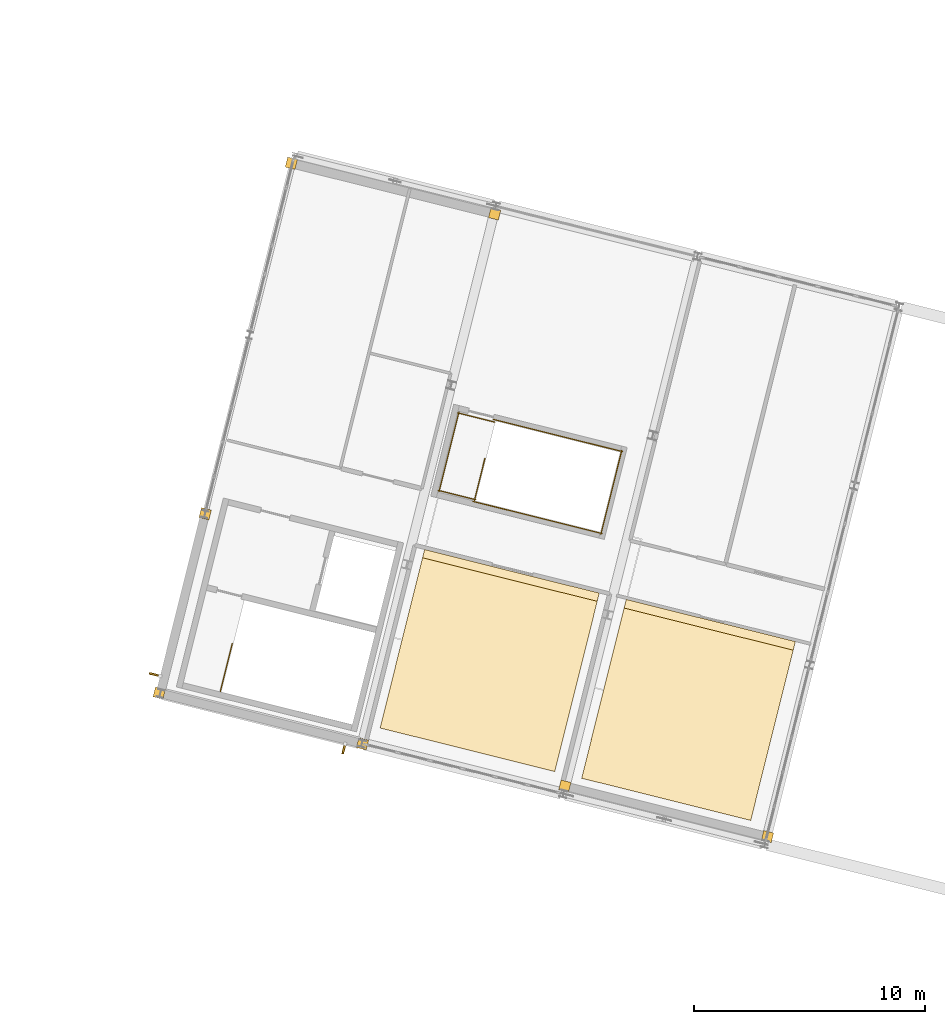
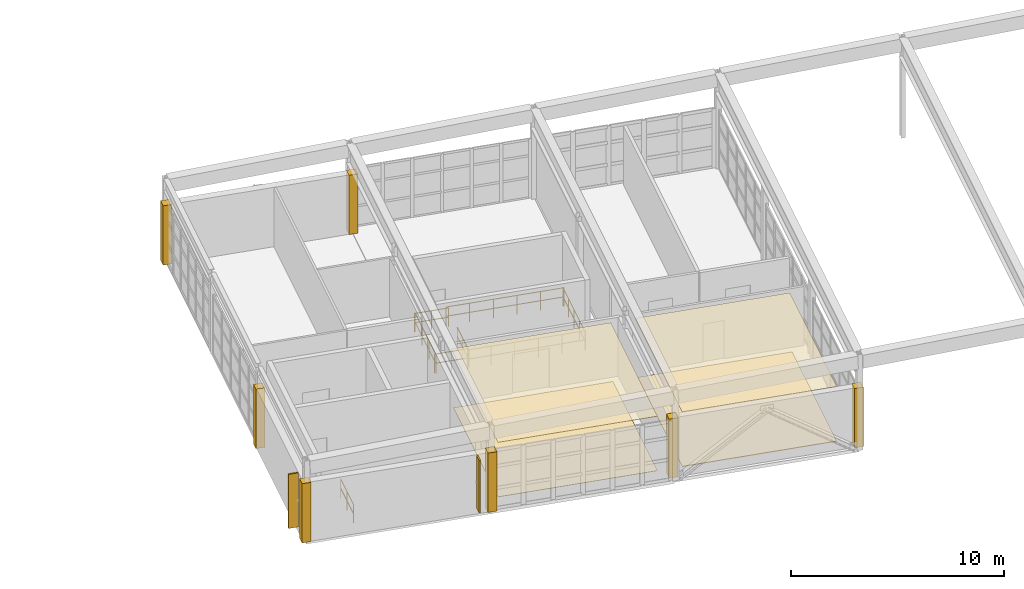
# One storey, part 27 of 27: 11 coverings, 8 railings, 2 shading devices.
"""IFC4 building model written with IfcOpenShell, lengths in metres."""

from ifc_helpers import new_model, si_unit, direction, frame, origin, origin_2d, place, context, subcontext, project, spatial, polyline, rectangle, circle, outline, extrude, material, layer, layer_set, type_object, element, save


model = new_model("IFC4")

# Units and contexts
model_context = context("Model", 3, precision=1e-05, world=origin(), true_north=direction((0.0, 1.0)))
body_context = subcontext(model_context, "Body", "Model", "MODEL_VIEW")
ifc_project = project(units=[si_unit("LENGTHUNIT", "METRE"), si_unit("AREAUNIT", "SQUARE_METRE"), si_unit("VOLUMEUNIT", "CUBIC_METRE"), si_unit("PLANEANGLEUNIT", "RADIAN"), si_unit("MASSUNIT", "GRAM", prefix="KILO")], contexts=[model_context])

# Site, building, storey
site_placement = place(None, origin())
site = spatial("IfcSite", under=ifc_project, at=site_placement, CompositionType="ELEMENT")
building_placement = place(site_placement, origin())
building = spatial("IfcBuilding", under=site, at=building_placement, Name="Vireo Bluff Cable Station", CompositionType="ELEMENT")
storey_placement = place(building_placement, frame((0.0, 0.0, 19.199951171875)))
storey = spatial("IfcBuildingStorey", under=building, at=storey_placement, Name="L04", CompositionType="ELEMENT", Elevation=19.199951171875)

# Coverings
ifc_material_1 = material(Name="Perforated Acoustic Metal Ceiling")
ifc_layer_1 = layer(ifc_material_1, 0.02490234375, Name="Perforated Acoustic Metal Ceiling")
ifc_layer_set_1 = layer_set([ifc_layer_1], Name="Perforated Acoustic Metal Ceiling")
covering_type_1 = type_object("IfcCoveringType", Name="CEILING-ACOUSTIC-25", PredefinedType="CEILING", material=ifc_layer_set_1)
covering_1_placement = place(storey_placement, frame((0.0, 0.0, 3.1201171875)))
element("IfcCovering", 1, at=covering_1_placement, inside=storey, type_object=covering_type_1, Name="V1 L04 Ropeway Line Control Room acoustic ceiling", PredefinedType="CEILING", context=body_context, shape_type="SweptSolid", body=[
    extrude(outline(polyline([(63.5205078125, 36.502197265625), (71.0888671875, 34.615234375), (73.016357421875, 42.34619140625), (65.447998046875, 44.233154296875), (63.5205078125, 36.502197265625)])), origin(), (0.0, 0.0, 1.0), 0.02490234375),
])
ifc_layer_2 = layer(ifc_material_1, 0.034912109375, Name="Perforated Acoustic Metal Ceiling")
ifc_layer_set_2 = layer_set([ifc_layer_2], Name="Perforated Acoustic Metal Ceiling")
covering_type_2 = type_object("IfcCoveringType", Name="CEILING-ACOUSTIC-35", PredefinedType="CEILING", material=ifc_layer_set_2)
covering_2_placement = place(storey_placement, frame((0.0, 0.0, 3.1201171875)))
element("IfcCovering", 2, at=covering_2_placement, inside=storey, type_object=covering_type_2, Name="V1 L04 Dispatch and Telemetry Office acoustic ceiling", PredefinedType="CEILING", context=body_context, shape_type="SweptSolid", body=[
    extrude(outline(polyline([(72.253173828125, 34.324951171875), (79.578857421875, 32.49853515625), (81.510498046875, 40.246337890625), (74.184814453125, 42.07275390625), (72.253173828125, 34.324951171875)])), origin(), (0.0, 0.0, 1.0), 0.034912109375),
])
ifc_material_2 = material(Name="Precast concrete f'c 45 MPa", Category="concrete")
ifc_layer_3 = layer(ifc_material_2, 0.0400390625, Name="Precast concrete f'c 45 MPa")
ifc_layer_set_3 = layer_set([ifc_layer_3], Name="Precast concrete f'c 45 MPa")
covering_type_3 = type_object("IfcCoveringType", Name="COL-CLOSURE-WRAP", PredefinedType="CLADDING", material=ifc_layer_set_3)
for number, where, z_axis, x_axis, name in (
    (3, (80.304931640625, 31.791748046875, 0.0), (0.0, 0.0, 1.0), (0.970295726276, -0.2419218956, 0.0), "V1 L04 column pocket closure"),
    (4, (71.52294921875, 33.9814453125, 0.0), (0.0, 0.0, 1.0), (0.970295726276, -0.2419218956, 0.0), "V1 L04 column pocket closure"),
    (5, (62.75732421875, 35.816650390625, 0.0), (0.0, 0.0, 1.0), (0.970295726276, -0.2419218956, 0.0), "V1 L04 column pocket closure"),
    (6, (53.950439453125, 38.012451171875, 0.0), (0.0, 0.0, 1.0), (0.970295726276, -0.2419218956, 0.0), "V1 L04 column pocket closure"),
    (7, (55.94091796875, 45.78466796875, 0.0), (0.0, 0.0, 1.0), (0.970295726276, -0.2419218956, 0.0), "V1 L04 column pocket closure"),
    (8, (59.67578125, 60.96923828125, 0.0), (0.0, 0.0, 1.0), (0.970295726276, -0.2419218956, 0.0), "V1 L04 column pocket closure"),
    (9, (68.481201171875, 58.773681640625, 0.0), (0.0, 0.0, 1.0), (0.970295726276, -0.2419218956, 0.0), "V1 L04 column pocket closure"),
):
    element("IfcCovering", number, at=place(storey_placement, frame(where, z_axis=z_axis, x_axis=x_axis)), inside=storey, type_object=covering_type_3, Name=name, PredefinedType="CLADDING", context=body_context, shape_type="SweptSolid", body=[
        extrude(rectangle(XDim=0.43994140625, YDim=0.43994140625, at=origin_2d()), origin(), (0.0, 0.0, 1.0), 3.39990234375),
    ])
ifc_material_3 = material(Name="Polished Terrazzo Flooring")
ifc_layer_4 = layer(ifc_material_3, 0.02001953125, Name="Polished Terrazzo Flooring")
ifc_layer_set_4 = layer_set([ifc_layer_4], Name="Polished Terrazzo Flooring")
covering_type_4 = type_object("IfcCoveringType", Name="FLOORING-TERRAZZO-20", PredefinedType="FLOORING", material=ifc_layer_set_4)
covering_3_placement = place(storey_placement, origin())
element("IfcCovering", 10, at=covering_3_placement, inside=storey, type_object=covering_type_4, Name="V1 L04 Ropeway Line Control Room terrazzo finish", PredefinedType="FLOORING", context=body_context, shape_type="SweptSolid", body=[
    extrude(outline(polyline([(63.5205078125, 36.502197265625), (71.0888671875, 34.615234375), (72.927490234375, 41.989501953125), (65.359130859375, 43.87646484375), (63.5205078125, 36.502197265625)])), origin(), (0.0, 0.0, 1.0), 0.02001953125),
])
ifc_layer_5 = layer(ifc_material_3, 0.030029296875, Name="Polished Terrazzo Flooring")
ifc_layer_set_5 = layer_set([ifc_layer_5], Name="Polished Terrazzo Flooring")
covering_type_5 = type_object("IfcCoveringType", Name="FLOORING-TERRAZZO-30", PredefinedType="FLOORING", material=ifc_layer_set_5)
covering_4_placement = place(storey_placement, origin())
element("IfcCovering", 11, at=covering_4_placement, inside=storey, type_object=covering_type_5, Name="V1 L04 Dispatch and Telemetry Office terrazzo finish", PredefinedType="FLOORING", context=body_context, shape_type="SweptSolid", body=[
    extrude(outline(polyline([(72.253173828125, 34.324951171875), (79.578857421875, 32.49853515625), (81.41748046875, 39.872802734375), (74.091796875, 41.69921875), (72.253173828125, 34.324951171875)])), origin(), (0.0, 0.0, 1.0), 0.030029296875),
])

# Shading devices
ifc_material_4 = material(Name="Extruded Terracotta Solar Fin", Category="masonry")
shading_device_type_1 = type_object("IfcShadingDeviceType", Name="SOLARFIN-440X3000", PredefinedType="SHUTTER", material=ifc_material_4)
shading_device_1_placement = place(storey_placement, frame((61.951171875, 35.60009765625, 0.35009765625), z_axis=(0.0, 0.0, 1.0), x_axis=(-0.970295733771, 0.24192186554, 0.0)))
element("IfcShadingDevice", 12, at=shading_device_1_placement, inside=storey, type_object=shading_device_type_1, Name="V1 L04 solar brise-soleil fin 9", PredefinedType="SHUTTER", context=body_context, shape_type="SweptSolid", body=[
    extrude(rectangle(XDim=0.080078125, YDim=0.43994140625, at=origin_2d()), origin(), (0.0, 0.0, 1.0), 3.0),
])
shading_device_type_2 = type_object("IfcShadingDeviceType", Name="SOLARFIN-480X3100", PredefinedType="SHUTTER", material=ifc_material_4)
shading_device_2_placement = place(storey_placement, frame((53.759033203125, 38.810791015625, 0.300048828125), z_axis=(0.0, 0.0, 1.0), x_axis=(0.241921868487, 0.970295733036, 0.0)))
element("IfcShadingDevice", 13, at=shading_device_2_placement, inside=storey, type_object=shading_device_type_2, Name="V1 L04 solar brise-soleil fin 10", PredefinedType="SHUTTER", context=body_context, shape_type="SweptSolid", body=[
    extrude(rectangle(XDim=0.080078125, YDim=0.47998046875, at=origin_2d()), origin(), (0.0, 0.0, 1.0), 3.10009765625),
])

# Railings
ifc_material_5 = material(Name="Stainless Steel 316", Category="steel")
railing_type = type_object("IfcRailingType", Name="STAIR-GUARD-1100", PredefinedType="GUARDRAIL", material=ifc_material_5)
railing_1_placement = place(storey_placement, frame((56.594970703125, 38.074462890625, 0.0)))
element("IfcRailing", 14, at=railing_1_placement, inside=storey, type_object=railing_type, Name="L04 ST-02 top well guard 1", PredefinedType="GUARDRAIL", context=body_context, shape_type="SweptSolid", body=[
    extrude(circle(Radius=0.02392578125, at=origin_2d()), frame((0.0, 0.0, 1.076171875), z_axis=(0.241974515127, 0.970282605239, 0.0), x_axis=(-0.970282605239, 0.241974515127, 0.0)), (0.0, 0.0, 1.0), 2.150146484375),
    extrude(circle(Radius=0.02392578125, at=origin_2d()), frame((0.0, 0.0, 0.550048828125), z_axis=(0.241974515127, 0.970282605239, 0.0), x_axis=(-0.970282605239, 0.241974515127, 0.0)), (0.0, 0.0, 1.0), 2.150146484375),
    extrude(circle(Radius=0.02099609375, at=origin_2d()), origin(), (0.0, 0.0, 1.0), 1.052001953125),
    extrude(circle(Radius=0.02099609375, at=origin_2d()), frame((0.26025390625, 1.04296875, 0.0)), (0.0, 0.0, 1.0), 1.052001953125),
    extrude(circle(Radius=0.02099609375, at=origin_2d()), frame((0.520263671875, 2.086181640625, 0.0)), (0.0, 0.0, 1.0), 1.052001953125),
])
railing_2_placement = place(storey_placement, frame((67.605712890625, 46.356689453125, 0.0)))
element("IfcRailing", 15, at=railing_2_placement, inside=storey, type_object=railing_type, Name="L04 ST-10 top well guard 1", PredefinedType="GUARDRAIL", context=body_context, shape_type="SweptSolid", body=[
    extrude(circle(Radius=0.02392578125, at=origin_2d()), frame((0.0, 0.0, 1.076171875), z_axis=(0.241924482903, 0.970295081185, 0.0), x_axis=(-0.970295081185, 0.241924482903, 0.0)), (0.0, 0.0, 1.0), 1.880126953125),
    extrude(circle(Radius=0.02392578125, at=origin_2d()), frame((0.0, 0.0, 0.550048828125), z_axis=(0.241924482903, 0.970295081185, 0.0), x_axis=(-0.970295081185, 0.241924482903, 0.0)), (0.0, 0.0, 1.0), 1.880126953125),
    extrude(circle(Radius=0.02099609375, at=origin_2d()), origin(), (0.0, 0.0, 1.0), 1.052001953125),
    extrude(circle(Radius=0.02099609375, at=origin_2d()), frame((0.2275390625, 0.912109375, 0.0)), (0.0, 0.0, 1.0), 1.052001953125),
    extrude(circle(Radius=0.02099609375, at=origin_2d()), frame((0.454833984375, 1.82421875, 0.0)), (0.0, 0.0, 1.0), 1.052001953125),
])
for number, where, name in (
    (16, (67.545166015625, 46.3203125, 0.0), "L04 ST-10 top well guard 2"),
    (17, (68.4306640625, 49.87158203125, 0.0), "L04 ST-10 top well guard 3"),
):
    element("IfcRailing", number, at=place(storey_placement, frame(where)), inside=storey, type_object=railing_type, Name=name, PredefinedType="GUARDRAIL", context=body_context, shape_type="SweptSolid", body=[
        extrude(circle(Radius=0.02392578125, at=origin_2d()), frame((0.0, 0.0, 1.076171875), z_axis=(0.970291651619, -0.24193823757, 0.0), x_axis=(0.24193823757, 0.970291651619, 0.0)), (0.0, 0.0, 1.0), 5.77001953125),
        extrude(circle(Radius=0.02392578125, at=origin_2d()), frame((0.0, 0.0, 0.550048828125), z_axis=(0.970291651619, -0.24193823757, 0.0), x_axis=(0.24193823757, 0.970291651619, 0.0)), (0.0, 0.0, 1.0), 5.77001953125),
        extrude(circle(Radius=0.02099609375, at=origin_2d()), origin(), (0.0, 0.0, 1.0), 1.052001953125),
        extrude(circle(Radius=0.02099609375, at=origin_2d()), frame((1.11962890625, -0.279296875, 0.0)), (0.0, 0.0, 1.0), 1.052001953125),
        extrude(circle(Radius=0.02099609375, at=origin_2d()), frame((2.239501953125, -0.558349609375, 0.0)), (0.0, 0.0, 1.0), 1.052001953125),
        extrude(circle(Radius=0.02099609375, at=origin_2d()), frame((3.359130859375, -0.837646484375, 0.0)), (0.0, 0.0, 1.0), 1.052001953125),
        extrude(circle(Radius=0.02099609375, at=origin_2d()), frame((4.47900390625, -1.11669921875, 0.0)), (0.0, 0.0, 1.0), 1.052001953125),
        extrude(circle(Radius=0.02099609375, at=origin_2d()), frame((5.5986328125, -1.39599609375, 0.0)), (0.0, 0.0, 1.0), 1.052001953125),
    ])
railing_3_placement = place(storey_placement, frame((73.083251953125, 44.887939453125, 0.0)))
element("IfcRailing", 18, at=railing_3_placement, inside=storey, type_object=railing_type, Name="L04 ST-10 top well guard 4", PredefinedType="GUARDRAIL", context=body_context, shape_type="SweptSolid", body=[
    extrude(circle(Radius=0.02392578125, at=origin_2d()), frame((0.0, 0.0, 1.076171875), z_axis=(0.241924482903, 0.970295081185, 0.0), x_axis=(-0.970295081185, 0.241924482903, 0.0)), (0.0, 0.0, 1.0), 3.76025390625),
    extrude(circle(Radius=0.02392578125, at=origin_2d()), frame((0.0, 0.0, 0.550048828125), z_axis=(0.241924482903, 0.970295081185, 0.0), x_axis=(-0.970295081185, 0.241924482903, 0.0)), (0.0, 0.0, 1.0), 3.76025390625),
    extrude(circle(Radius=0.02099609375, at=origin_2d()), origin(), (0.0, 0.0, 1.0), 1.052001953125),
    extrude(circle(Radius=0.02099609375, at=origin_2d()), frame((0.2275390625, 0.912109375, 0.0)), (0.0, 0.0, 1.0), 1.052001953125),
    extrude(circle(Radius=0.02099609375, at=origin_2d()), frame((0.454833984375, 1.82421875, 0.0)), (0.0, 0.0, 1.0), 1.052001953125),
    extrude(circle(Radius=0.02099609375, at=origin_2d()), frame((0.68212890625, 2.736328125, 0.0)), (0.0, 0.0, 1.0), 1.052001953125),
    extrude(circle(Radius=0.02099609375, at=origin_2d()), frame((0.90966796875, 3.6484375, 0.0)), (0.0, 0.0, 1.0), 1.052001953125),
])
for number, where, name in (
    (19, (66.036376953125, 46.799560546875, 0.0), "L04 ST-10 top well guard 5"),
    (20, (66.873291015625, 50.15673828125, 0.0), "L04 ST-10 top well guard 6"),
):
    element("IfcRailing", number, at=place(storey_placement, frame(where)), inside=storey, type_object=railing_type, Name=name, PredefinedType="GUARDRAIL", context=body_context, shape_type="SweptSolid", body=[
        extrude(circle(Radius=0.02392578125, at=origin_2d()), frame((0.0, 0.0, 1.076171875), z_axis=(0.970287643911, -0.241954309887, 0.0), x_axis=(0.241954309887, 0.970287643911, 0.0)), (0.0, 0.0, 1.0), 1.679931640625),
        extrude(circle(Radius=0.02392578125, at=origin_2d()), frame((0.0, 0.0, 0.550048828125), z_axis=(0.970287643911, -0.241954309887, 0.0), x_axis=(0.241954309887, 0.970287643911, 0.0)), (0.0, 0.0, 1.0), 1.679931640625),
        extrude(circle(Radius=0.02099609375, at=origin_2d()), origin(), (0.0, 0.0, 1.0), 1.052001953125),
        extrude(circle(Radius=0.02099609375, at=origin_2d()), frame((0.81494140625, -0.203125, 0.0)), (0.0, 0.0, 1.0), 1.052001953125),
        extrude(circle(Radius=0.02099609375, at=origin_2d()), frame((1.630126953125, -0.406494140625, 0.0)), (0.0, 0.0, 1.0), 1.052001953125),
    ])
railing_4_placement = place(storey_placement, frame((66.07275390625, 46.739013671875, 0.0)))
element("IfcRailing", 21, at=railing_4_placement, inside=storey, type_object=railing_type, Name="L04 ST-10 top well guard 7", PredefinedType="GUARDRAIL", context=body_context, shape_type="SweptSolid", body=[
    extrude(circle(Radius=0.02392578125, at=origin_2d()), frame((0.0, 0.0, 1.076171875), z_axis=(0.241954658005, 0.970287557103, 0.0), x_axis=(-0.970287557103, 0.241954658005, 0.0)), (0.0, 0.0, 1.0), 3.559814453125),
    extrude(circle(Radius=0.02392578125, at=origin_2d()), frame((0.0, 0.0, 0.550048828125), z_axis=(0.241954658005, 0.970287557103, 0.0), x_axis=(-0.970287557103, 0.241954658005, 0.0)), (0.0, 0.0, 1.0), 3.559814453125),
    extrude(circle(Radius=0.02099609375, at=origin_2d()), origin(), (0.0, 0.0, 1.0), 1.052001953125),
    extrude(circle(Radius=0.02099609375, at=origin_2d()), frame((0.287109375, 1.1513671875, 0.0)), (0.0, 0.0, 1.0), 1.052001953125),
    extrude(circle(Radius=0.02099609375, at=origin_2d()), frame((0.57421875, 2.302734375, 0.0)), (0.0, 0.0, 1.0), 1.052001953125),
    extrude(circle(Radius=0.02099609375, at=origin_2d()), frame((0.861328125, 3.4541015625, 0.0)), (0.0, 0.0, 1.0), 1.052001953125),
])

save(model, "model.ifc")
